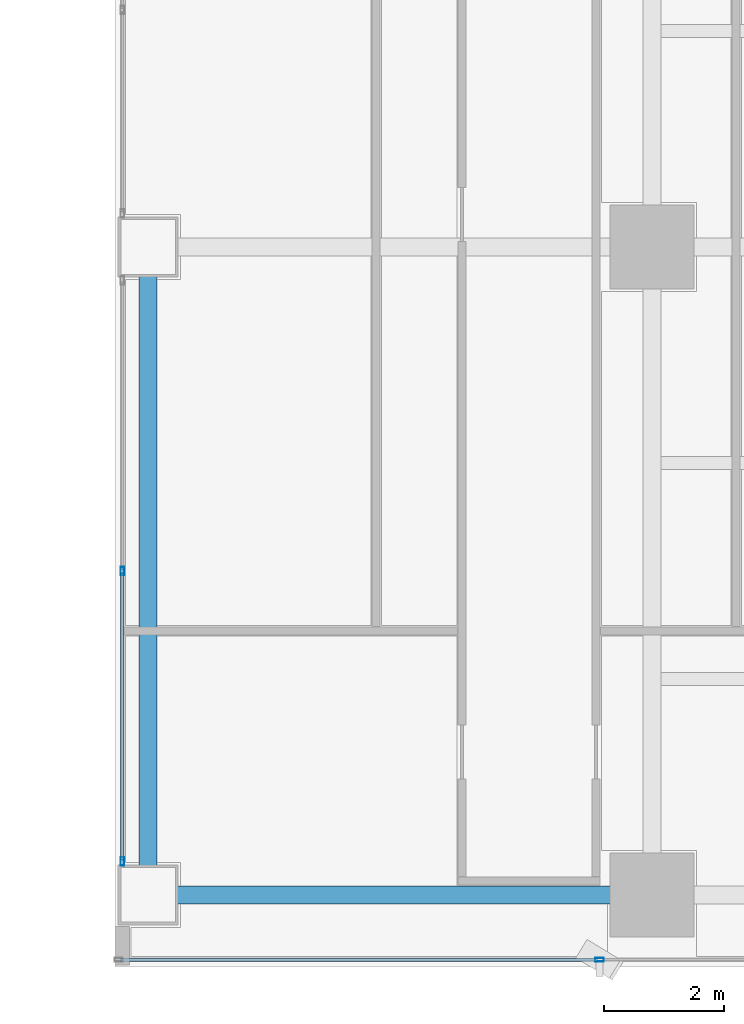
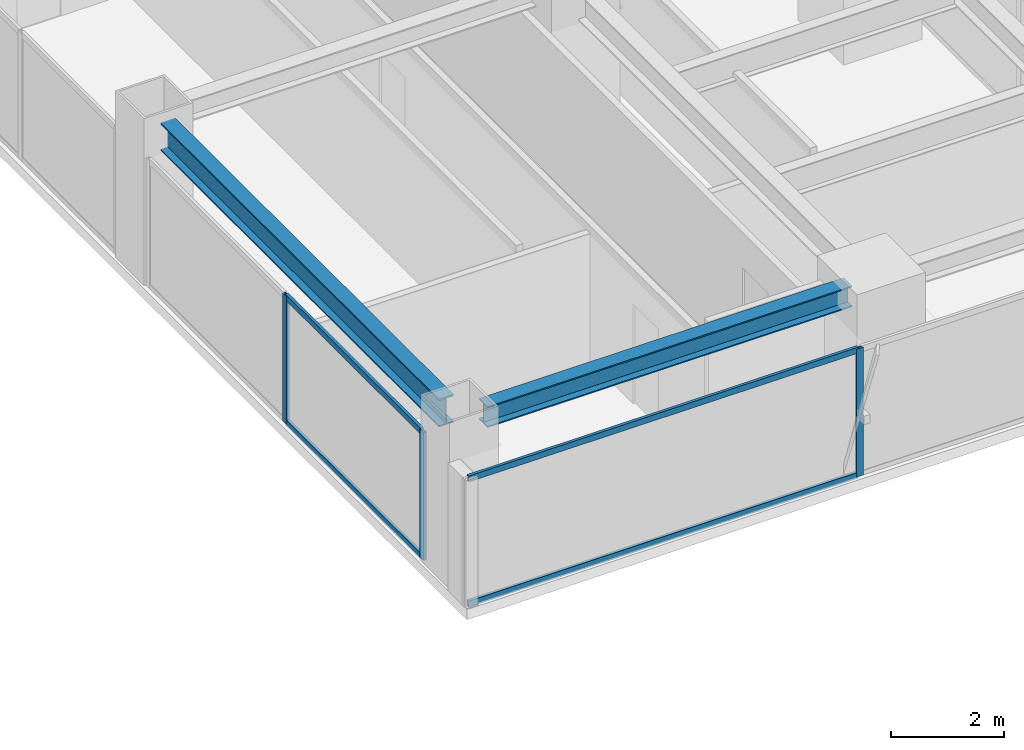
# One storey, part 12 of 30: 7 members, 2 beams, 2 elements without a shape of their own.
"""IFC4 building model written with IfcOpenShell, lengths in metres."""

from ifc_helpers import new_model, si_unit, direction, frame, origin, origin_2d, place, context, subcontext, project, spatial, hollow_rectangle, i_section, extrude, source, transform, mapped, material, layer, layer_set, material_profile, profile_set, type_object, element, aggregate, save


model = new_model("IFC4")

# Units and contexts
model_context = context("Model", 3, precision=1e-05, world=origin(), true_north=direction((0.0, 1.0)))
body_context = subcontext(model_context, "Body", "Model", "MODEL_VIEW")
ifc_project = project(units=[si_unit("LENGTHUNIT", "METRE"), si_unit("AREAUNIT", "SQUARE_METRE"), si_unit("VOLUMEUNIT", "CUBIC_METRE"), si_unit("PLANEANGLEUNIT", "RADIAN"), si_unit("MASSUNIT", "GRAM", prefix="KILO")], contexts=[model_context])

# Site, building, storey
site_placement = place(None, origin())
site = spatial("IfcSite", under=ifc_project, at=site_placement, CompositionType="ELEMENT")
building_placement = place(site_placement, origin())
building = spatial("IfcBuilding", under=site, at=building_placement, Name="Sumidabori Civic Tower", CompositionType="ELEMENT")
storey_placement = place(building_placement, frame((0.0, 0.0, 200.0)))
storey = spatial("IfcBuildingStorey", under=building, at=storey_placement, Name="L51", CompositionType="ELEMENT", Elevation=200.0)

# Beams
ifc_material_1 = material(Name="Steel SN490", Category="steel")
ifc_material_profile_1 = material_profile(ifc_material_1, i_section(OverallWidth=0.300048828125, OverallDepth=0.60009765625, WebThickness=0.015380859375, FlangeThickness=0.030029296875, at=origin_2d()), Name="HE 600 B")
ifc_profile_set_1 = profile_set([ifc_material_profile_1], Name="Steel SN490")
beam_type_1 = type_object("IfcBeamType", Name="BM-GIRD-600", PredefinedType="BEAM", material=ifc_profile_set_1)
shared_shape_1 = source(origin(), body_context, "Body", "SweptSolid", [
    extrude(i_section(OverallWidth=0.300048828125, OverallDepth=0.60009765625, WebThickness=0.015380859375, FlangeThickness=0.030029296875, at=origin_2d()), origin(), (0.0, 0.0, 1.0), 9.840087890625),
])
beam_1_placement = place(storey_placement, frame((8.39990234375, -10.320068359375, 3.080078125), z_axis=(0.0, 1.0, 0.0), x_axis=(-1.0, 0.0, 0.0)))
element("IfcBeam", 1, at=beam_1_placement, inside=storey, type_object=beam_type_1, Name="Primary Girder L51 GY-18", PredefinedType="BEAM", context=body_context, shape_type="MappedRepresentation", body=[
    mapped(shared_shape_1, transform((0.0, 0.0, 0.0), x_axis=(1.0, 0.0, 0.0), y_axis=(0.0, 1.0, 0.0), z_axis=(0.0, 0.0, 1.0), scale=1.0)),
])
ifc_material_profile_2 = material_profile(ifc_material_1, i_section(OverallWidth=0.300048828125, OverallDepth=0.449951171875, WebThickness=0.013916015625, FlangeThickness=0.02587890625, at=origin_2d()), Name="HE 450 B")
ifc_profile_set_2 = profile_set([ifc_material_profile_2], Name="Steel SN490")
beam_type_2 = type_object("IfcBeamType", Name="BM-GIRD-450", PredefinedType="BEAM", material=ifc_profile_set_2)
shared_shape_2 = source(origin(), body_context, "Body", "SweptSolid", [
    extrude(i_section(OverallWidth=0.300048828125, OverallDepth=0.449951171875, WebThickness=0.013916015625, FlangeThickness=0.02587890625, at=origin_2d()), origin(), (0.0, 0.0, 1.0), 7.440185546875),
])
beam_2_placement = place(storey_placement, frame((8.8798828125, -10.800048828125, 3.155029296875), z_axis=(1.0, 0.0, 0.0), x_axis=(0.0, 1.0, 0.0)))
element("IfcBeam", 2, at=beam_2_placement, inside=storey, type_object=beam_type_2, Name="Primary Girder L51 GX-03", PredefinedType="BEAM", context=body_context, shape_type="MappedRepresentation", body=[
    mapped(shared_shape_2, transform((0.0, 0.0, 0.0), x_axis=(1.0, 0.0, 0.0), y_axis=(0.0, 1.0, 0.0), z_axis=(0.0, 0.0, 1.0), scale=1.0)),
])

# Curtain wall, members
ifc_material_2 = material(Name="Anodised Bronze Aluminium AW-6063-T6", Category="aluminium")
ifc_layer_1 = layer(ifc_material_2, 0.179931640625, Name="Anodised Bronze Aluminium AW-6063-T6")
ifc_layer_set_1 = layer_set([ifc_layer_1], Name="Anodised Bronze Aluminium AW-6063-T6")
curtain_wall_type_1 = type_object("IfcCurtainWallType", Name="CW-SYS-4", PredefinedType="NOTDEFINED", material=ifc_layer_set_1)
curtain_wall_1_placement = place(storey_placement, origin())
curtain_wall_1 = element("IfcCurtainWall", 3, at=curtain_wall_1_placement, inside=storey, type_object=curtain_wall_type_1, Name="Curtain Wall CW:L51:R07", PredefinedType="NOTDEFINED")
ifc_material_profile_3 = material_profile(ifc_material_2, hollow_rectangle(XDim=0.06005859375, YDim=0.139892578125, WallThickness=0.0048828125, at=origin_2d()), Name="ALU MULLION 140x60")
ifc_profile_set_3 = profile_set([ifc_material_profile_3], Name="Anodised Bronze Aluminium AW-6063-T6")
member_type_1 = type_object("IfcMemberType", Name="CW-MUL-140", PredefinedType="MULLION", material=ifc_profile_set_3)
shared_shape_3 = source(origin(), body_context, "Body", "SweptSolid", [
    extrude(hollow_rectangle(XDim=0.06005859375, YDim=0.139892578125, WallThickness=0.0048828125, at=origin_2d()), origin(), (0.0, 0.0, 1.0), 2.760009765625),
])
member_1_placement = place(storey_placement, frame((7.969970703125, -5.39990234375, 0.0), z_axis=(0.0, 0.0, 1.0), x_axis=(1.0, 0.0, 0.0)))
member_1 = element("IfcMember", 4, at=member_1_placement, type_object=member_type_1, Name="CW-4 mullion 2", PredefinedType="MULLION", context=body_context, shape_type="MappedRepresentation", body=[
    mapped(shared_shape_3, transform((0.0, 0.0, 0.0), x_axis=(1.0, 0.0, 0.0), y_axis=(0.0, 1.0, 0.0), z_axis=(0.0, 0.0, 1.0), scale=1.0)),
])
member_2_placement = place(storey_placement, frame((7.969970703125, -10.239990234375, 0.0), z_axis=(0.0, 0.0, 1.0), x_axis=(1.0, 0.0, 0.0)))
member_2 = element("IfcMember", 5, at=member_2_placement, type_object=member_type_1, Name="CW-4 mullion 3", PredefinedType="MULLION", context=body_context, shape_type="MappedRepresentation", body=[
    mapped(shared_shape_3, transform((0.0, 0.0, 0.0), x_axis=(1.0, 0.0, 0.0), y_axis=(0.0, 1.0, 0.0), z_axis=(0.0, 0.0, 1.0), scale=1.0)),
])

ifc_layer_2 = layer(ifc_material_2, 0.179931640625, Name="Anodised Bronze Aluminium AW-6063-T6")
ifc_layer_set_2 = layer_set([ifc_layer_2], Name="Anodised Bronze Aluminium AW-6063-T6")
curtain_wall_type_2 = type_object("IfcCurtainWallType", Name="CW-SYS-5", PredefinedType="NOTDEFINED", material=ifc_layer_set_2)
curtain_wall_2_placement = place(storey_placement, origin())
curtain_wall_2 = element("IfcCurtainWall", 6, at=curtain_wall_2_placement, inside=storey, type_object=curtain_wall_type_2, Name="Curtain Wall CW:L51:R09", PredefinedType="NOTDEFINED")
member_3_placement = place(storey_placement, frame((15.925048828125, -11.8798828125, 0.0), z_axis=(0.0, 0.0, 1.0), x_axis=(0.0, 1.0, 0.0)))
member_3 = element("IfcMember", 7, at=member_3_placement, type_object=member_type_1, Name="CW-5 mullion 2", PredefinedType="MULLION", context=body_context, shape_type="MappedRepresentation", body=[
    mapped(shared_shape_3, transform((0.0, 0.0, 0.0), x_axis=(1.0, 0.0, 0.0), y_axis=(0.0, 1.0, 0.0), z_axis=(0.0, 0.0, 1.0), scale=1.0)),
])
ifc_material_profile_4 = material_profile(ifc_material_2, hollow_rectangle(XDim=0.06005859375, YDim=0.1298828125, WallThickness=0.0048828125, at=origin_2d()), Name="ALU TRANSOM 130x60")
ifc_profile_set_4 = profile_set([ifc_material_profile_4], Name="Anodised Bronze Aluminium AW-6063-T6")
member_type_2 = type_object("IfcMemberType", Name="CW-TRN-130", PredefinedType="USERDEFINED", material=ifc_profile_set_4)
shared_shape_4 = source(origin(), body_context, "Body", "SweptSolid", [
    extrude(hollow_rectangle(XDim=0.06005859375, YDim=0.1298828125, WallThickness=0.0048828125, at=origin_2d()), origin(), (0.0, 0.0, 1.0), 7.955078125),
])
member_4_placement = place(storey_placement, frame((7.93994140625, -11.8798828125, 0.030029296875), z_axis=(1.0, 0.0, 0.0), x_axis=(0.0, 1.0, 0.0)))
member_4 = element("IfcMember", 8, at=member_4_placement, type_object=member_type_2, Name="CW-5 transom 1.1", ObjectType="TRANSOM", PredefinedType="USERDEFINED", context=body_context, shape_type="MappedRepresentation", body=[
    mapped(shared_shape_4, transform((0.0, 0.0, 0.0), x_axis=(1.0, 0.0, 0.0), y_axis=(0.0, 1.0, 0.0), z_axis=(0.0, 0.0, 1.0), scale=1.0)),
])
member_5_placement = place(storey_placement, frame((7.93994140625, -11.8798828125, 2.72998046875), z_axis=(1.0, 0.0, 0.0), x_axis=(0.0, 1.0, 0.0)))
member_5 = element("IfcMember", 9, at=member_5_placement, type_object=member_type_2, Name="CW-5 transom 1.2", ObjectType="TRANSOM", PredefinedType="USERDEFINED", context=body_context, shape_type="MappedRepresentation", body=[
    mapped(shared_shape_4, transform((0.0, 0.0, 0.0), x_axis=(1.0, 0.0, 0.0), y_axis=(0.0, 1.0, 0.0), z_axis=(0.0, 0.0, 1.0), scale=1.0)),
])
aggregate(curtain_wall_2, [member_3, member_4, member_5])

# Member
shared_shape_5 = source(origin(), body_context, "Body", "SweptSolid", [
    extrude(hollow_rectangle(XDim=0.06005859375, YDim=0.1298828125, WallThickness=0.0048828125, at=origin_2d()), origin(), (0.0, 0.0, 1.0), 4.780029296875),
])
member_6_placement = place(storey_placement, frame((7.969970703125, -5.429931640625, 0.030029296875), z_axis=(0.0, -1.0, 0.0), x_axis=(1.0, 0.0, 0.0)))
member_6 = element("IfcMember", 10, at=member_6_placement, type_object=member_type_2, Name="CW-4 transom 2.1", ObjectType="TRANSOM", PredefinedType="USERDEFINED", context=body_context, shape_type="MappedRepresentation", body=[
    mapped(shared_shape_5, transform((0.0, 0.0, 0.0), x_axis=(1.0, 0.0, 0.0), y_axis=(0.0, 1.0, 0.0), z_axis=(0.0, 0.0, 1.0), scale=1.0)),
])

member_7_placement = place(storey_placement, frame((7.969970703125, -5.429931640625, 2.72998046875), z_axis=(0.0, -1.0, 0.0), x_axis=(1.0, 0.0, 0.0)))
member_7 = element("IfcMember", 11, at=member_7_placement, type_object=member_type_2, Name="CW-4 transom 2.2", ObjectType="TRANSOM", PredefinedType="USERDEFINED", context=body_context, shape_type="MappedRepresentation", body=[
    mapped(shared_shape_5, transform((0.0, 0.0, 0.0), x_axis=(1.0, 0.0, 0.0), y_axis=(0.0, 1.0, 0.0), z_axis=(0.0, 0.0, 1.0), scale=1.0)),
])

aggregate(curtain_wall_1, [member_1, member_2, member_6, member_7])

save(model, "model.ifc")
